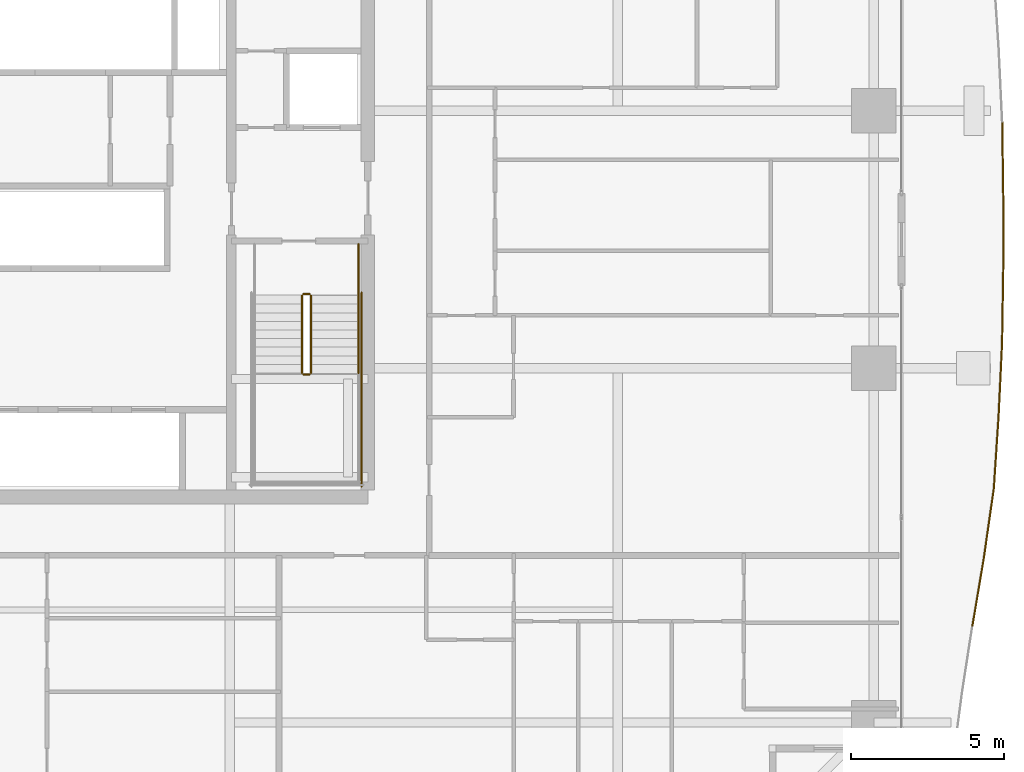
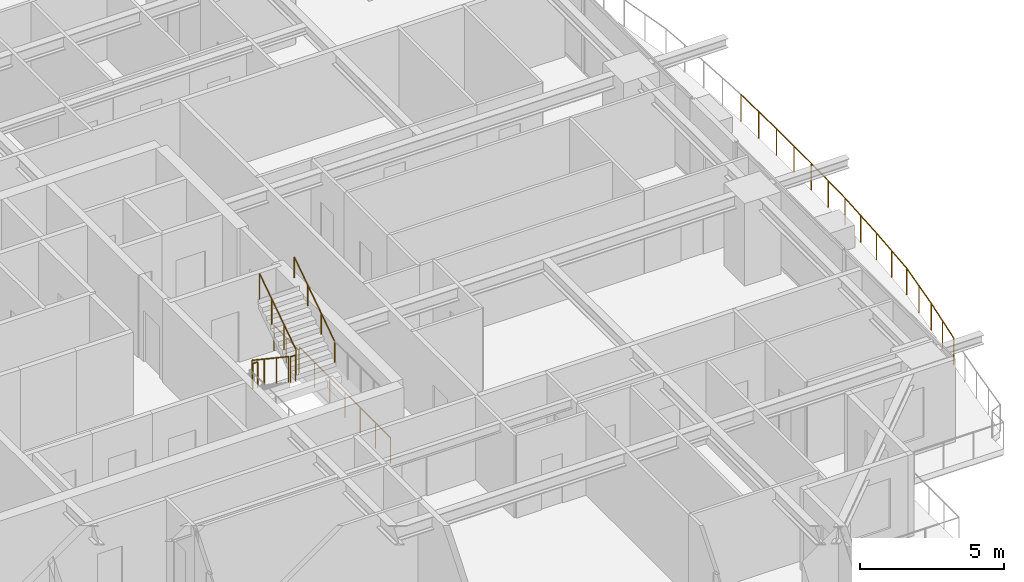
# One storey, part 37 of 39: 8 railings.
"""IFC4 building model written with IfcOpenShell, lengths in metres."""

from ifc_helpers import new_model, si_unit, direction, frame, origin, origin_2d, place, context, subcontext, project, spatial, circle, extrude, material, type_object, element, save


model = new_model("IFC4")

# Units and contexts
model_context = context("Model", 3, precision=1e-05, world=origin(), true_north=direction((0.0, 1.0)))
body_context = subcontext(model_context, "Body", "Model", "MODEL_VIEW")
ifc_project = project(units=[si_unit("LENGTHUNIT", "METRE"), si_unit("AREAUNIT", "SQUARE_METRE"), si_unit("VOLUMEUNIT", "CUBIC_METRE"), si_unit("PLANEANGLEUNIT", "RADIAN"), si_unit("MASSUNIT", "GRAM", prefix="KILO")], contexts=[model_context])

# Site, building, storey
site_placement = place(None, origin())
site = spatial("IfcSite", under=ifc_project, at=site_placement, CompositionType="ELEMENT")
building_placement = place(site_placement, origin())
building = spatial("IfcBuilding", under=site, at=building_placement, Name="Serunith Strait Residences", CompositionType="ELEMENT")
storey_placement = place(building_placement, frame((0.0, 0.0, 64.199951171875)))
storey = spatial("IfcBuildingStorey", under=building, at=storey_placement, Name="L15", CompositionType="ELEMENT", Elevation=64.199951171875)

# Railings
ifc_material_1 = material(Name="Stainless Steel & Laminated Glass Balustrade", Category="steel")
railing_type_1 = type_object("IfcRailingType", Name="RLG-BALC-1150", PredefinedType="BALUSTRADE", material=ifc_material_1)
railing_1_placement = place(storey_placement, frame((62.087646484375, 29.042236328125, -0.050048828125)))
element("IfcRailing", 1, at=railing_1_placement, inside=storey, type_object=railing_type_1, Name="L15 Swirling Balcony Perimeter Balustrade 4", PredefinedType="BALUSTRADE", context=body_context, shape_type="SweptSolid", body=[
    extrude(circle(Radius=0.02392578125, at=origin_2d()), frame((0.0, -0.001953125, 1.1259765625), z_axis=(0.013497197286, -0.999908908684, 0.0), x_axis=(0.999908908684, 0.013497197286, 0.0)), (0.0, 0.0, 1.0), 2.40185546875),
    extrude(circle(Radius=0.02392578125, at=origin_2d()), frame((0.032470703125, -2.407470703125, 1.1259765625), z_axis=(0.0, -1.0, 0.0), x_axis=(1.0, 0.0, 0.0)), (0.0, 0.0, 1.0), 2.4091796875),
    extrude(circle(Radius=0.02392578125, at=origin_2d()), frame((0.032470703125, -4.820556640625, 1.1259765625), z_axis=(-0.015827545297, -0.999874736559, 0.0), x_axis=(0.999874736559, -0.015827545297, 0.0)), (0.0, 0.0, 1.0), 2.40234375),
    extrude(circle(Radius=0.02392578125, at=origin_2d()), frame((-0.005615234375, -7.2265625, 1.1259765625), z_axis=(-0.047735124195, -0.998860029192, 0.0), x_axis=(0.998860029192, -0.047735124195, 0.0)), (0.0, 0.0, 1.0), 2.384521484375),
    extrude(circle(Radius=0.02392578125, at=origin_2d()), frame((-0.119873046875, -9.6123046875, 1.1259765625), z_axis=(-0.065667880081, -0.997841535278, 0.0), x_axis=(0.997841535278, -0.065667880081, 0.0)), (0.0, 0.0, 1.0), 2.356689453125),
    extrude(circle(Radius=0.02392578125, at=origin_2d()), frame((-0.27490234375, -11.968017578125, 1.1259765625), z_axis=(-0.142360424194, -0.989814886544, 0.0), x_axis=(0.989814886544, -0.142360424194, 0.0)), (0.0, 0.0, 1.0), 2.288818359375),
    extrude(circle(Radius=0.02392578125, at=origin_2d()), frame((-0.601318359375, -14.237548828125, 1.1259765625), z_axis=(-0.166442030832, -0.986051241251, 0.0), x_axis=(0.986051241251, -0.166442030832, 0.0)), (0.0, 0.0, 1.0), 2.22412109375),
    extrude(circle(Radius=0.02099609375, at=origin_2d()), origin(), (0.0, 0.0, 1.0), 1.099853515625),
    extrude(circle(Radius=0.02099609375, at=origin_2d()), frame((0.01611328125, -1.20263671875, 0.0)), (0.0, 0.0, 1.0), 1.099853515625),
    extrude(circle(Radius=0.02099609375, at=origin_2d()), frame((0.032470703125, -2.405517578125, 0.0)), (0.0, 0.0, 1.0), 1.099853515625),
    extrude(circle(Radius=0.02099609375, at=origin_2d()), frame((0.032470703125, -3.612060546875, 0.0)), (0.0, 0.0, 1.0), 1.099853515625),
    extrude(circle(Radius=0.02099609375, at=origin_2d()), frame((0.032470703125, -4.818603515625, 0.0)), (0.0, 0.0, 1.0), 1.099853515625),
    extrude(circle(Radius=0.02099609375, at=origin_2d()), frame((0.013427734375, -6.021484375, 0.0)), (0.0, 0.0, 1.0), 1.099853515625),
    extrude(circle(Radius=0.02099609375, at=origin_2d()), frame((-0.005615234375, -7.224609375, 0.0)), (0.0, 0.0, 1.0), 1.099853515625),
    extrude(circle(Radius=0.02099609375, at=origin_2d()), frame((-0.0625, -8.41748046875, 0.0)), (0.0, 0.0, 1.0), 1.099853515625),
    extrude(circle(Radius=0.02099609375, at=origin_2d()), frame((-0.11962890625, -9.6103515625, 0.0)), (0.0, 0.0, 1.0), 1.099853515625),
    extrude(circle(Radius=0.02099609375, at=origin_2d()), frame((-0.197265625, -10.7880859375, 0.0)), (0.0, 0.0, 1.0), 1.099853515625),
    extrude(circle(Radius=0.02099609375, at=origin_2d()), frame((-0.274658203125, -11.966064453125, 0.0)), (0.0, 0.0, 1.0), 1.099853515625),
    extrude(circle(Radius=0.02099609375, at=origin_2d()), frame((-0.43798828125, -13.100830078125, 0.0)), (0.0, 0.0, 1.0), 1.099853515625),
    extrude(circle(Radius=0.02099609375, at=origin_2d()), frame((-0.60107421875, -14.235595703125, 0.0)), (0.0, 0.0, 1.0), 1.099853515625),
    extrude(circle(Radius=0.02099609375, at=origin_2d()), frame((-0.78662109375, -15.333984375, 0.0)), (0.0, 0.0, 1.0), 1.099853515625),
    extrude(circle(Radius=0.02099609375, at=origin_2d()), frame((-0.971923828125, -16.4326171875, 0.0)), (0.0, 0.0, 1.0), 1.099853515625),
])
ifc_material_2 = material(Name="Brushed stainless steel 316L", Category="steel")
railing_type_2 = type_object("IfcRailingType", Name="RLG-STAIR-GUARD", PredefinedType="BALUSTRADE", material=ifc_material_2)
railing_2_placement = place(storey_placement, frame((39.25, 23.3701171875, 0.1875)))
element("IfcRailing", 2, at=railing_2_placement, inside=storey, type_object=railing_type_2, Name="L15 ST-2 stair guard 1", PredefinedType="BALUSTRADE", context=body_context, shape_type="SweptSolid", body=[
    extrude(circle(Radius=0.02392578125, at=origin_2d()), frame((0.0, -0.001708984375, 1.0771484375), z_axis=(0.0, -0.830909170722, 0.55640807867), x_axis=(1.0, 0.0, 0.0)), (0.0, 0.0, 1.0), 3.02880859375),
    extrude(circle(Radius=0.02099609375, at=origin_2d()), origin(), (0.0, 0.0, 1.0), 1.050048828125),
    extrude(circle(Radius=0.02099609375, at=origin_2d()), frame((0.0, -0.840087890625, 0.5625)), (0.0, 0.0, 1.0), 1.050048828125),
    extrude(circle(Radius=0.02099609375, at=origin_2d()), frame((0.0, -1.679931640625, 1.125)), (0.0, 0.0, 1.0), 1.050048828125),
    extrude(circle(Radius=0.02099609375, at=origin_2d()), frame((0.0, -2.52001953125, 1.6875)), (0.0, 0.0, 1.0), 1.050048828125),
])
railing_3_placement = place(storey_placement, frame((39.300048828125, 20.800048828125, 1.875)))
element("IfcRailing", 3, at=railing_3_placement, inside=storey, type_object=railing_type_2, Name="L15 ST-2 stair guard 2", PredefinedType="BALUSTRADE", context=body_context, shape_type="SweptSolid", body=[
    extrude(circle(Radius=0.02392578125, at=origin_2d()), frame((0.001953125, 0.0, 1.076171875), z_axis=(1.0, 0.0, 0.0), x_axis=(0.0, 1.0, 0.0)), (0.0, 0.0, 1.0), 0.196044921875),
    extrude(circle(Radius=0.02099609375, at=origin_2d()), origin(), (0.0, 0.0, 1.0), 1.050048828125),
    extrude(circle(Radius=0.02099609375, at=origin_2d()), frame((0.199951171875, 0.0, 0.0)), (0.0, 0.0, 1.0), 1.050048828125),
])
railing_4_placement = place(storey_placement, frame((39.550048828125, 20.85009765625, 2.0625)))
element("IfcRailing", 4, at=railing_4_placement, inside=storey, type_object=railing_type_2, Name="L15 ST-2 stair guard 6", PredefinedType="BALUSTRADE", context=body_context, shape_type="SweptSolid", body=[
    extrude(circle(Radius=0.02392578125, at=origin_2d()), frame((0.0, 0.001708984375, 1.0771484375), z_axis=(0.0, 0.830909170722, 0.55640807867), x_axis=(-1.0, 0.0, 0.0)), (0.0, 0.0, 1.0), 3.02880859375),
    extrude(circle(Radius=0.02099609375, at=origin_2d()), origin(), (0.0, 0.0, 1.0), 1.050048828125),
    extrude(circle(Radius=0.02099609375, at=origin_2d()), frame((0.0, 0.840087890625, 0.5625)), (0.0, 0.0, 1.0), 1.050048828125),
    extrude(circle(Radius=0.02099609375, at=origin_2d()), frame((0.0, 1.679931640625, 1.125)), (0.0, 0.0, 1.0), 1.050048828125),
    extrude(circle(Radius=0.02099609375, at=origin_2d()), frame((0.0, 2.52001953125, 1.6875)), (0.0, 0.0, 1.0), 1.050048828125),
])
railing_5_placement = place(storey_placement, frame((39.300048828125, 23.419921875, 0.0)))
element("IfcRailing", 5, at=railing_5_placement, inside=storey, type_object=railing_type_2, Name="L15 ST-2 stair guard 7", PredefinedType="BALUSTRADE", context=body_context, shape_type="SweptSolid", body=[
    extrude(circle(Radius=0.02392578125, at=origin_2d()), frame((0.001953125, 0.0, 1.076171875), z_axis=(1.0, 0.0, 0.0), x_axis=(0.0, 1.0, 0.0)), (0.0, 0.0, 1.0), 0.196044921875),
    extrude(circle(Radius=0.02099609375, at=origin_2d()), origin(), (0.0, 0.0, 1.0), 1.050048828125),
    extrude(circle(Radius=0.02099609375, at=origin_2d()), frame((0.199951171875, 0.0, 0.0)), (0.0, 0.0, 1.0), 1.050048828125),
])
railing_6_placement = place(storey_placement, frame((41.10009765625, 25.050048828125, 0.0)))
element("IfcRailing", 6, at=railing_6_placement, inside=storey, type_object=railing_type_2, Name="L15 ST-2 stair guard 9", PredefinedType="BALUSTRADE", context=body_context, shape_type="SweptSolid", body=[
    extrude(circle(Radius=0.02392578125, at=origin_2d()), frame((0.0, -0.001953125, 1.076171875), z_axis=(0.0, -1.0, 0.0), x_axis=(1.0, 0.0, 0.0)), (0.0, 0.0, 1.0), 1.676025390625),
    extrude(circle(Radius=0.02099609375, at=origin_2d()), origin(), (0.0, 0.0, 1.0), 1.050048828125),
    extrude(circle(Radius=0.02099609375, at=origin_2d()), frame((0.0, -0.83984375, 0.0)), (0.0, 0.0, 1.0), 1.050048828125),
    extrude(circle(Radius=0.02099609375, at=origin_2d()), frame((0.0, -1.679931640625, 0.0)), (0.0, 0.0, 1.0), 1.050048828125),
])
railing_7_placement = place(storey_placement, frame((41.199951171875, 23.469970703125, 0.0)))
element("IfcRailing", 7, at=railing_7_placement, inside=storey, type_object=railing_type_2, Name="L15 ST-2 stair guard 11", PredefinedType="BALUSTRADE", context=body_context, shape_type="SweptSolid", body=[
    extrude(circle(Radius=0.02392578125, at=origin_2d()), frame((0.0, -0.001953125, 1.076171875), z_axis=(0.0, -1.0, 0.0), x_axis=(1.0, 0.0, 0.0)), (0.0, 0.0, 1.0), 6.316162109375),
    extrude(circle(Radius=0.02099609375, at=origin_2d()), origin(), (0.0, 0.0, 1.0), 1.050048828125),
    extrude(circle(Radius=0.02099609375, at=origin_2d()), frame((0.0, -1.05322265625, 0.0)), (0.0, 0.0, 1.0), 1.050048828125),
    extrude(circle(Radius=0.02099609375, at=origin_2d()), frame((0.0, -2.106689453125, 0.0)), (0.0, 0.0, 1.0), 1.050048828125),
    extrude(circle(Radius=0.02099609375, at=origin_2d()), frame((0.0, -3.16015625, 0.0)), (0.0, 0.0, 1.0), 1.050048828125),
    extrude(circle(Radius=0.02099609375, at=origin_2d()), frame((0.0, -4.21337890625, 0.0)), (0.0, 0.0, 1.0), 1.050048828125),
    extrude(circle(Radius=0.02099609375, at=origin_2d()), frame((0.0, -5.2666015625, 0.0)), (0.0, 0.0, 1.0), 1.050048828125),
    extrude(circle(Radius=0.02099609375, at=origin_2d()), frame((0.0, -6.320068359375, 0.0)), (0.0, 0.0, 1.0), 1.050048828125),
])
railing_type_3 = type_object("IfcRailingType", Name="RLG-STAIR-HR", PredefinedType="HANDRAIL", material=ifc_material_2)
railing_8_placement = place(storey_placement, frame((41.10009765625, 20.85009765625, 2.0625)))
element("IfcRailing", 8, at=railing_8_placement, inside=storey, type_object=railing_type_3, Name="L15 ST-2 stair handrail 2", PredefinedType="HANDRAIL", context=body_context, shape_type="SweptSolid", body=[
    extrude(circle(Radius=0.02392578125, at=origin_2d()), frame((0.0, 0.001708984375, 0.876953125), z_axis=(0.0, 0.830185712471, 0.557486935101), x_axis=(-1.0, 0.0, 0.0)), (0.0, 0.0, 1.0), 3.368408203125),
    extrude(circle(Radius=0.02099609375, at=origin_2d()), origin(), (0.0, 0.0, 1.0), 0.849853515625),
    extrude(circle(Radius=0.02099609375, at=origin_2d()), frame((0.0, 0.933349609375, 0.626708984375)), (0.0, 0.0, 1.0), 0.849853515625),
    extrude(circle(Radius=0.02099609375, at=origin_2d()), frame((0.0, 1.866455078125, 1.25341796875)), (0.0, 0.0, 1.0), 0.849853515625),
    extrude(circle(Radius=0.02099609375, at=origin_2d()), frame((0.0, 2.7998046875, 1.880126953125)), (0.0, 0.0, 1.0), 0.849853515625),
])

save(model, "model.ifc")
